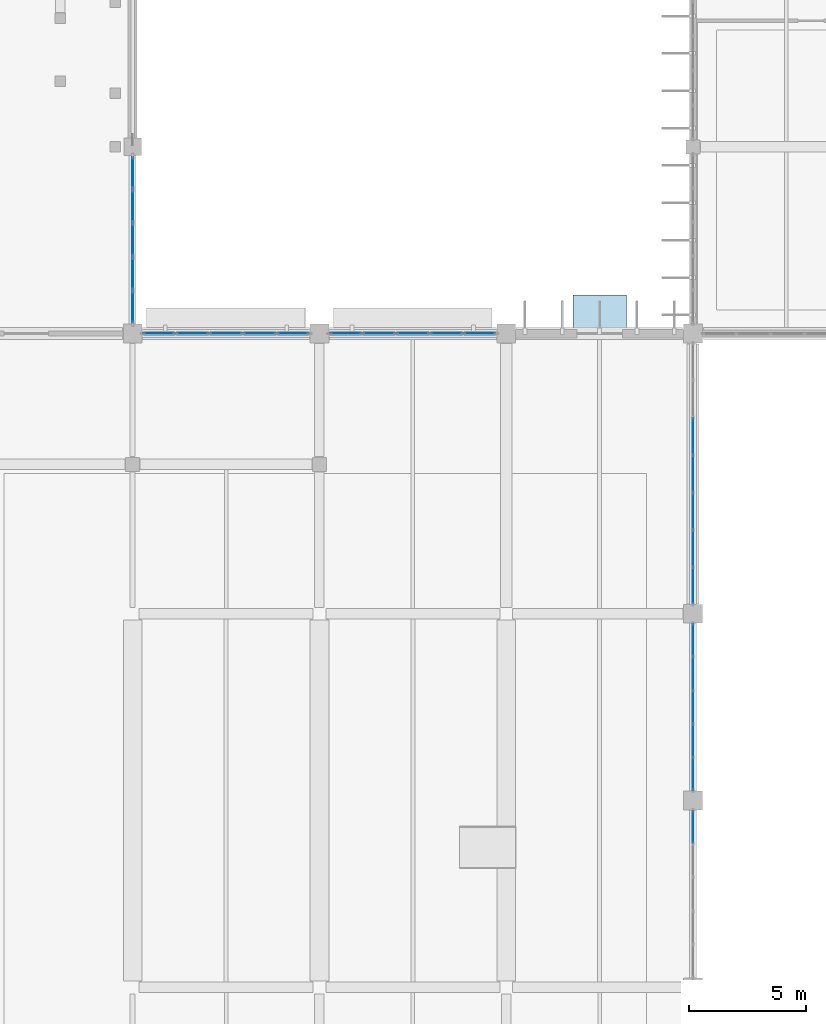
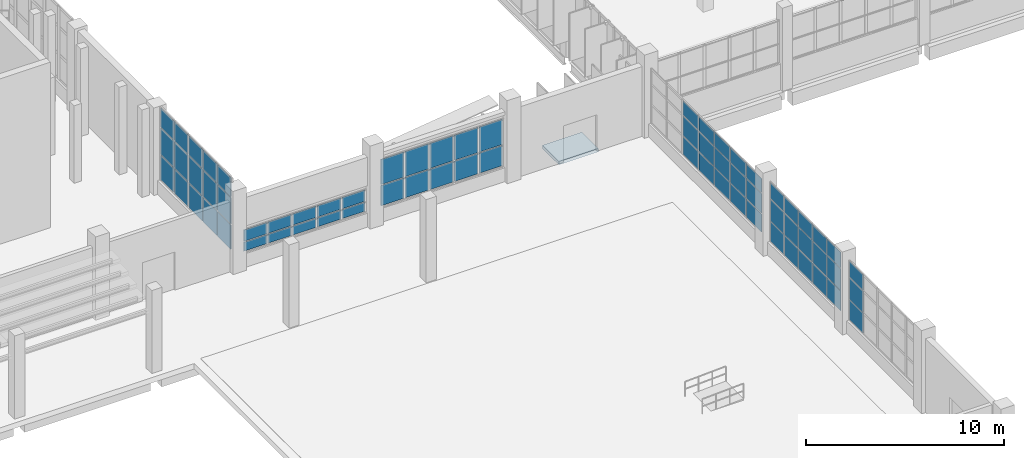
# One storey, part 59 of 103: 68 plates, 1 slab, 6 elements without a shape of their own.
"""IFC4 building model written with IfcOpenShell, lengths in metres."""

from ifc_helpers import new_model, si_unit, direction, frame, origin, origin_2d, place, context, subcontext, project, spatial, polyline, rectangle, outline, extrude, material, layer, layer_set, type_object, element, aggregate, save


model = new_model("IFC4")

# Units and contexts
model_context = context("Model", 3, precision=1e-05, world=origin(), true_north=direction((0.0, 1.0)))
body_context = subcontext(model_context, "Body", "Model", "MODEL_VIEW")
ifc_project = project(units=[si_unit("LENGTHUNIT", "METRE"), si_unit("AREAUNIT", "SQUARE_METRE"), si_unit("VOLUMEUNIT", "CUBIC_METRE"), si_unit("PLANEANGLEUNIT", "RADIAN"), si_unit("MASSUNIT", "GRAM", prefix="KILO")], contexts=[model_context])

# Site, building, storey
site_placement = place(None, origin())
site = spatial("IfcSite", under=ifc_project, at=site_placement, CompositionType="ELEMENT")
building_placement = place(site_placement, origin())
building = spatial("IfcBuilding", under=site, at=building_placement, Name="Drelvana Railside Aquatics Centre", CompositionType="ELEMENT")
storey_placement = place(building_placement, origin())
storey = spatial("IfcBuildingStorey", under=building, at=storey_placement, Name="L00", CompositionType="ELEMENT", Elevation=0.0)

# Curtain wall, plates
ifc_material_1 = material(Name="Bronze-anodised aluminium curtain wall", Category="aluminium")
ifc_layer_1 = layer(ifc_material_1, 0.199951171875, Name="Bronze-anodised aluminium curtain wall")
ifc_layer_set_1 = layer_set([ifc_layer_1], Name="Bronze-anodised aluminium curtain wall")
curtain_wall_type_1 = type_object("IfcCurtainWallType", Name="CW-Z1-SINE", PredefinedType="NOTDEFINED", material=ifc_layer_set_1)
curtain_wall_1_placement = place(storey_placement, origin())
curtain_wall_1 = element("IfcCurtainWall", 1, at=curtain_wall_1_placement, inside=storey, type_object=curtain_wall_type_1, Name="Curtain wall CW-01-020", PredefinedType="NOTDEFINED")
ifc_material_2 = material(Name="Double-glazed low-e solar-control glass", Category="glass")
ifc_layer_2 = layer(ifc_material_2, 0.031982421875, Name="Double-glazed low-e solar-control glass")
ifc_layer_set_2 = layer_set([ifc_layer_2], Name="Double-glazed low-e solar-control glass")
plate_type_1 = type_object("IfcPlateType", Name="CW-Z1-SINE-PAN", PredefinedType="CURTAIN_PANEL", material=ifc_layer_set_2)
plate_1_placement = place(storey_placement, frame((73.134033203125, 84.0, 0.9091796875), z_axis=(0.0, 0.0, 1.0), x_axis=(1.0, 0.0, 0.0)))
plate_1 = element("IfcPlate", 2, at=plate_1_placement, type_object=plate_type_1, Name="CW-01 panel 1.1", PredefinedType="CURTAIN_PANEL", context=body_context, shape_type="SweptSolid", body=[
    extrude(rectangle(XDim=1.33984375, YDim=0.031982421875, at=origin_2d()), origin(), (0.0, 0.0, 1.0), 0.551025390625),
])
plate_2_placement = place(storey_placement, frame((73.134033203125, 84.0, 1.52001953125), z_axis=(0.0, 0.0, 1.0), x_axis=(1.0, 0.0, 0.0)))
plate_2 = element("IfcPlate", 3, at=plate_2_placement, type_object=plate_type_1, Name="CW-01 panel 1.2", PredefinedType="CURTAIN_PANEL", context=body_context, shape_type="SweptSolid", body=[
    extrude(rectangle(XDim=1.33984375, YDim=0.031982421875, at=origin_2d()), origin(), (0.0, 0.0, 1.0), 0.695068359375),
])
plate_3_placement = place(storey_placement, frame((74.5576171875, 84.0, 0.9091796875), z_axis=(0.0, 0.0, 1.0), x_axis=(1.0, 0.0, 0.0)))
plate_3 = element("IfcPlate", 4, at=plate_3_placement, type_object=plate_type_1, Name="CW-01 panel 2.1", PredefinedType="CURTAIN_PANEL", context=body_context, shape_type="SweptSolid", body=[
    extrude(rectangle(XDim=1.37744140625, YDim=0.031982421875, at=origin_2d()), origin(), (0.0, 0.0, 1.0), 0.551025390625),
])
plate_4_placement = place(storey_placement, frame((74.5576171875, 84.0, 1.52001953125), z_axis=(0.0, 0.0, 1.0), x_axis=(1.0, 0.0, 0.0)))
plate_4 = element("IfcPlate", 5, at=plate_4_placement, type_object=plate_type_1, Name="CW-01 panel 2.2", PredefinedType="CURTAIN_PANEL", context=body_context, shape_type="SweptSolid", body=[
    extrude(rectangle(XDim=1.37744140625, YDim=0.031982421875, at=origin_2d()), origin(), (0.0, 0.0, 1.0), 0.695068359375),
])
plate_5_placement = place(storey_placement, frame((76.0, 84.0, 0.9091796875), z_axis=(0.0, 0.0, 1.0), x_axis=(1.0, 0.0, 0.0)))
plate_5 = element("IfcPlate", 6, at=plate_5_placement, type_object=plate_type_1, Name="CW-01 panel 3.1", PredefinedType="CURTAIN_PANEL", context=body_context, shape_type="SweptSolid", body=[
    extrude(rectangle(XDim=1.37744140625, YDim=0.031982421875, at=origin_2d()), origin(), (0.0, 0.0, 1.0), 0.551025390625),
])
plate_6_placement = place(storey_placement, frame((76.0, 84.0, 1.52001953125), z_axis=(0.0, 0.0, 1.0), x_axis=(1.0, 0.0, 0.0)))
plate_6 = element("IfcPlate", 7, at=plate_6_placement, type_object=plate_type_1, Name="CW-01 panel 3.2", PredefinedType="CURTAIN_PANEL", context=body_context, shape_type="SweptSolid", body=[
    extrude(rectangle(XDim=1.37744140625, YDim=0.031982421875, at=origin_2d()), origin(), (0.0, 0.0, 1.0), 0.695068359375),
])
plate_7_placement = place(storey_placement, frame((77.4423828125, 84.0, 0.9091796875), z_axis=(0.0, 0.0, 1.0), x_axis=(1.0, 0.0, 0.0)))
plate_7 = element("IfcPlate", 8, at=plate_7_placement, type_object=plate_type_1, Name="CW-01 panel 4.1", PredefinedType="CURTAIN_PANEL", context=body_context, shape_type="SweptSolid", body=[
    extrude(rectangle(XDim=1.37744140625, YDim=0.031982421875, at=origin_2d()), origin(), (0.0, 0.0, 1.0), 0.551025390625),
])
plate_8_placement = place(storey_placement, frame((77.4423828125, 84.0, 1.52001953125), z_axis=(0.0, 0.0, 1.0), x_axis=(1.0, 0.0, 0.0)))
plate_8 = element("IfcPlate", 9, at=plate_8_placement, type_object=plate_type_1, Name="CW-01 panel 4.2", PredefinedType="CURTAIN_PANEL", context=body_context, shape_type="SweptSolid", body=[
    extrude(rectangle(XDim=1.37744140625, YDim=0.031982421875, at=origin_2d()), origin(), (0.0, 0.0, 1.0), 0.695068359375),
])
plate_9_placement = place(storey_placement, frame((78.865966796875, 84.0, 0.9091796875), z_axis=(0.0, 0.0, 1.0), x_axis=(1.0, 0.0, 0.0)))
plate_9 = element("IfcPlate", 10, at=plate_9_placement, type_object=plate_type_1, Name="CW-01 panel 5.1", PredefinedType="CURTAIN_PANEL", context=body_context, shape_type="SweptSolid", body=[
    extrude(rectangle(XDim=1.33984375, YDim=0.031982421875, at=origin_2d()), origin(), (0.0, 0.0, 1.0), 0.551025390625),
])
plate_10_placement = place(storey_placement, frame((78.865966796875, 84.0, 1.52001953125), z_axis=(0.0, 0.0, 1.0), x_axis=(1.0, 0.0, 0.0)))
plate_10 = element("IfcPlate", 11, at=plate_10_placement, type_object=plate_type_1, Name="CW-01 panel 5.2", PredefinedType="CURTAIN_PANEL", context=body_context, shape_type="SweptSolid", body=[
    extrude(rectangle(XDim=1.33984375, YDim=0.031982421875, at=origin_2d()), origin(), (0.0, 0.0, 1.0), 0.695068359375),
])
aggregate(curtain_wall_1, [plate_1, plate_2, plate_3, plate_4, plate_5, plate_6, plate_7, plate_8, plate_9, plate_10])

curtain_wall_2_placement = place(storey_placement, origin())
curtain_wall_2 = element("IfcCurtainWall", 12, at=curtain_wall_2_placement, inside=storey, type_object=curtain_wall_type_1, Name="Curtain wall CW-01-023", PredefinedType="NOTDEFINED")
plate_11_placement = place(storey_placement, frame((81.134033203125, 84.0, 0.908935546875), z_axis=(0.0, 0.0, 1.0), x_axis=(1.0, 0.0, 0.0)))
plate_11 = element("IfcPlate", 13, at=plate_11_placement, type_object=plate_type_1, Name="CW-01 panel 1.1", PredefinedType="CURTAIN_PANEL", context=body_context, shape_type="SweptSolid", body=[
    extrude(rectangle(XDim=1.33984375, YDim=0.031982421875, at=origin_2d()), origin(), (0.0, 0.0, 1.0), 1.2490234375),
])
plate_12_placement = place(storey_placement, frame((81.134033203125, 84.0, 2.2177734375), z_axis=(0.0, 0.0, 1.0), x_axis=(1.0, 0.0, 0.0)))
plate_12 = element("IfcPlate", 14, at=plate_12_placement, type_object=plate_type_1, Name="CW-01 panel 1.2", PredefinedType="CURTAIN_PANEL", context=body_context, shape_type="SweptSolid", body=[
    extrude(rectangle(XDim=1.33984375, YDim=0.031982421875, at=origin_2d()), origin(), (0.0, 0.0, 1.0), 1.547119140625),
])
plate_13_placement = place(storey_placement, frame((82.5576171875, 84.0, 0.908935546875), z_axis=(0.0, 0.0, 1.0), x_axis=(1.0, 0.0, 0.0)))
plate_13 = element("IfcPlate", 15, at=plate_13_placement, type_object=plate_type_1, Name="CW-01 panel 2.1", PredefinedType="CURTAIN_PANEL", context=body_context, shape_type="SweptSolid", body=[
    extrude(rectangle(XDim=1.37744140625, YDim=0.031982421875, at=origin_2d()), origin(), (0.0, 0.0, 1.0), 1.2490234375),
])
plate_14_placement = place(storey_placement, frame((82.5576171875, 84.0, 2.2177734375), z_axis=(0.0, 0.0, 1.0), x_axis=(1.0, 0.0, 0.0)))
plate_14 = element("IfcPlate", 16, at=plate_14_placement, type_object=plate_type_1, Name="CW-01 panel 2.2", PredefinedType="CURTAIN_PANEL", context=body_context, shape_type="SweptSolid", body=[
    extrude(rectangle(XDim=1.37744140625, YDim=0.031982421875, at=origin_2d()), origin(), (0.0, 0.0, 1.0), 1.547119140625),
])
plate_15_placement = place(storey_placement, frame((84.0, 84.0, 0.908935546875), z_axis=(0.0, 0.0, 1.0), x_axis=(1.0, 0.0, 0.0)))
plate_15 = element("IfcPlate", 17, at=plate_15_placement, type_object=plate_type_1, Name="CW-01 panel 3.1", PredefinedType="CURTAIN_PANEL", context=body_context, shape_type="SweptSolid", body=[
    extrude(rectangle(XDim=1.37744140625, YDim=0.031982421875, at=origin_2d()), origin(), (0.0, 0.0, 1.0), 1.2490234375),
])
plate_16_placement = place(storey_placement, frame((84.0, 84.0, 2.2177734375), z_axis=(0.0, 0.0, 1.0), x_axis=(1.0, 0.0, 0.0)))
plate_16 = element("IfcPlate", 18, at=plate_16_placement, type_object=plate_type_1, Name="CW-01 panel 3.2", PredefinedType="CURTAIN_PANEL", context=body_context, shape_type="SweptSolid", body=[
    extrude(rectangle(XDim=1.37744140625, YDim=0.031982421875, at=origin_2d()), origin(), (0.0, 0.0, 1.0), 1.547119140625),
])
plate_17_placement = place(storey_placement, frame((85.4423828125, 84.0, 0.908935546875), z_axis=(0.0, 0.0, 1.0), x_axis=(1.0, 0.0, 0.0)))
plate_17 = element("IfcPlate", 19, at=plate_17_placement, type_object=plate_type_1, Name="CW-01 panel 4.1", PredefinedType="CURTAIN_PANEL", context=body_context, shape_type="SweptSolid", body=[
    extrude(rectangle(XDim=1.37744140625, YDim=0.031982421875, at=origin_2d()), origin(), (0.0, 0.0, 1.0), 1.2490234375),
])
plate_18_placement = place(storey_placement, frame((85.4423828125, 84.0, 2.2177734375), z_axis=(0.0, 0.0, 1.0), x_axis=(1.0, 0.0, 0.0)))
plate_18 = element("IfcPlate", 20, at=plate_18_placement, type_object=plate_type_1, Name="CW-01 panel 4.2", PredefinedType="CURTAIN_PANEL", context=body_context, shape_type="SweptSolid", body=[
    extrude(rectangle(XDim=1.37744140625, YDim=0.031982421875, at=origin_2d()), origin(), (0.0, 0.0, 1.0), 1.547119140625),
])
plate_19_placement = place(storey_placement, frame((86.865966796875, 84.0, 0.908935546875), z_axis=(0.0, 0.0, 1.0), x_axis=(1.0, 0.0, 0.0)))
plate_19 = element("IfcPlate", 21, at=plate_19_placement, type_object=plate_type_1, Name="CW-01 panel 5.1", PredefinedType="CURTAIN_PANEL", context=body_context, shape_type="SweptSolid", body=[
    extrude(rectangle(XDim=1.33984375, YDim=0.031982421875, at=origin_2d()), origin(), (0.0, 0.0, 1.0), 1.2490234375),
])
plate_20_placement = place(storey_placement, frame((86.865966796875, 84.0, 2.2177734375), z_axis=(0.0, 0.0, 1.0), x_axis=(1.0, 0.0, 0.0)))
plate_20 = element("IfcPlate", 22, at=plate_20_placement, type_object=plate_type_1, Name="CW-01 panel 5.2", PredefinedType="CURTAIN_PANEL", context=body_context, shape_type="SweptSolid", body=[
    extrude(rectangle(XDim=1.33984375, YDim=0.031982421875, at=origin_2d()), origin(), (0.0, 0.0, 1.0), 1.547119140625),
])
aggregate(curtain_wall_2, [plate_11, plate_12, plate_13, plate_14, plate_15, plate_16, plate_17, plate_18, plate_19, plate_20])

ifc_layer_3 = layer(ifc_material_1, 0.1650390625, Name="Bronze-anodised aluminium curtain wall")
ifc_layer_set_3 = layer_set([ifc_layer_3], Name="Bronze-anodised aluminium curtain wall")
curtain_wall_type_2 = type_object("IfcCurtainWallType", Name="CW-Z5-COURT", PredefinedType="NOTDEFINED", material=ifc_layer_set_3)
curtain_wall_3_placement = place(storey_placement, origin())
curtain_wall_3 = element("IfcCurtainWall", 23, at=curtain_wall_3_placement, inside=storey, type_object=curtain_wall_type_2, Name="Curtain wall CW-05-070", PredefinedType="NOTDEFINED")
ifc_layer_4 = layer(ifc_material_2, 0.02587890625, Name="Double-glazed low-e solar-control glass")
ifc_layer_set_4 = layer_set([ifc_layer_4], Name="Double-glazed low-e solar-control glass")
plate_type_2 = type_object("IfcPlateType", Name="CW-Z5-COURT-PAN", PredefinedType="CURTAIN_PANEL", material=ifc_layer_set_4)
plate_21_placement = place(storey_placement, frame((96.0, 62.869873046875, 0.84912109375), z_axis=(0.0, 0.0, 1.0), x_axis=(0.0, 1.0, 0.0)))
plate_21 = element("IfcPlate", 24, at=plate_21_placement, type_object=plate_type_2, Name="CW-05 panel 5.1", PredefinedType="CURTAIN_PANEL", context=body_context, shape_type="SweptSolid", body=[
    extrude(rectangle(XDim=1.3623046875, YDim=0.02587890625, at=origin_2d()), origin(), (0.0, 0.0, 1.0), 1.217041015625),
])
plate_22_placement = place(storey_placement, frame((96.0, 62.869873046875, 2.1162109375), z_axis=(0.0, 0.0, 1.0), x_axis=(0.0, 1.0, 0.0)))
plate_22 = element("IfcPlate", 25, at=plate_22_placement, type_object=plate_type_2, Name="CW-05 panel 5.2", PredefinedType="CURTAIN_PANEL", context=body_context, shape_type="SweptSolid", body=[
    extrude(rectangle(XDim=1.3623046875, YDim=0.02587890625, at=origin_2d()), origin(), (0.0, 0.0, 1.0), 1.321044921875),
])
plate_23_placement = place(storey_placement, frame((96.0, 62.869873046875, 3.487060546875), z_axis=(0.0, 0.0, 1.0), x_axis=(0.0, 1.0, 0.0)))
plate_23 = element("IfcPlate", 26, at=plate_23_placement, type_object=plate_type_2, Name="CW-05 panel 5.3", PredefinedType="CURTAIN_PANEL", context=body_context, shape_type="SweptSolid", body=[
    extrude(rectangle(XDim=1.3623046875, YDim=0.02587890625, at=origin_2d()), origin(), (0.0, 0.0, 1.0), 0.9580078125),
])
aggregate(curtain_wall_3, [plate_21, plate_22, plate_23])

curtain_wall_4_placement = place(storey_placement, origin())
curtain_wall_4 = element("IfcCurtainWall", 27, at=curtain_wall_4_placement, inside=storey, type_object=curtain_wall_type_2, Name="Curtain wall CW-05-074", PredefinedType="NOTDEFINED")
plate_24_placement = place(storey_placement, frame((96.0, 65.130126953125, 0.84912109375), z_axis=(0.0, 0.0, 1.0), x_axis=(0.0, 1.0, 0.0)))
plate_24 = element("IfcPlate", 28, at=plate_24_placement, type_object=plate_type_2, Name="CW-05 panel 1.1", PredefinedType="CURTAIN_PANEL", context=body_context, shape_type="SweptSolid", body=[
    extrude(rectangle(XDim=1.3623046875, YDim=0.02587890625, at=origin_2d()), origin(), (0.0, 0.0, 1.0), 1.217041015625),
])
plate_25_placement = place(storey_placement, frame((96.0, 65.130126953125, 2.1162109375), z_axis=(0.0, 0.0, 1.0), x_axis=(0.0, 1.0, 0.0)))
plate_25 = element("IfcPlate", 29, at=plate_25_placement, type_object=plate_type_2, Name="CW-05 panel 1.2", PredefinedType="CURTAIN_PANEL", context=body_context, shape_type="SweptSolid", body=[
    extrude(rectangle(XDim=1.3623046875, YDim=0.02587890625, at=origin_2d()), origin(), (0.0, 0.0, 1.0), 1.321044921875),
])
plate_26_placement = place(storey_placement, frame((96.0, 65.130126953125, 3.487060546875), z_axis=(0.0, 0.0, 1.0), x_axis=(0.0, 1.0, 0.0)))
plate_26 = element("IfcPlate", 30, at=plate_26_placement, type_object=plate_type_2, Name="CW-05 panel 1.3", PredefinedType="CURTAIN_PANEL", context=body_context, shape_type="SweptSolid", body=[
    extrude(rectangle(XDim=1.3623046875, YDim=0.02587890625, at=origin_2d()), origin(), (0.0, 0.0, 1.0), 0.9580078125),
])
plate_27_placement = place(storey_placement, frame((96.0, 66.5576171875, 0.84912109375), z_axis=(0.0, 0.0, 1.0), x_axis=(0.0, 1.0, 0.0)))
plate_27 = element("IfcPlate", 31, at=plate_27_placement, type_object=plate_type_2, Name="CW-05 panel 2.1", PredefinedType="CURTAIN_PANEL", context=body_context, shape_type="SweptSolid", body=[
    extrude(rectangle(XDim=1.392333984375, YDim=0.02587890625, at=origin_2d()), origin(), (0.0, 0.0, 1.0), 1.217041015625),
])
plate_28_placement = place(storey_placement, frame((96.0, 66.5576171875, 2.1162109375), z_axis=(0.0, 0.0, 1.0), x_axis=(0.0, 1.0, 0.0)))
plate_28 = element("IfcPlate", 32, at=plate_28_placement, type_object=plate_type_2, Name="CW-05 panel 2.2", PredefinedType="CURTAIN_PANEL", context=body_context, shape_type="SweptSolid", body=[
    extrude(rectangle(XDim=1.392333984375, YDim=0.02587890625, at=origin_2d()), origin(), (0.0, 0.0, 1.0), 1.321044921875),
])
plate_29_placement = place(storey_placement, frame((96.0, 66.5576171875, 3.487060546875), z_axis=(0.0, 0.0, 1.0), x_axis=(0.0, 1.0, 0.0)))
plate_29 = element("IfcPlate", 33, at=plate_29_placement, type_object=plate_type_2, Name="CW-05 panel 2.3", PredefinedType="CURTAIN_PANEL", context=body_context, shape_type="SweptSolid", body=[
    extrude(rectangle(XDim=1.392333984375, YDim=0.02587890625, at=origin_2d()), origin(), (0.0, 0.0, 1.0), 0.9580078125),
])
plate_30_placement = place(storey_placement, frame((96.0, 68.0, 0.84912109375), z_axis=(0.0, 0.0, 1.0), x_axis=(0.0, 1.0, 0.0)))
plate_30 = element("IfcPlate", 34, at=plate_30_placement, type_object=plate_type_2, Name="CW-05 panel 3.1", PredefinedType="CURTAIN_PANEL", context=body_context, shape_type="SweptSolid", body=[
    extrude(rectangle(XDim=1.392333984375, YDim=0.02587890625, at=origin_2d()), origin(), (0.0, 0.0, 1.0), 1.217041015625),
])
plate_31_placement = place(storey_placement, frame((96.0, 68.0, 2.1162109375), z_axis=(0.0, 0.0, 1.0), x_axis=(0.0, 1.0, 0.0)))
plate_31 = element("IfcPlate", 35, at=plate_31_placement, type_object=plate_type_2, Name="CW-05 panel 3.2", PredefinedType="CURTAIN_PANEL", context=body_context, shape_type="SweptSolid", body=[
    extrude(rectangle(XDim=1.392333984375, YDim=0.02587890625, at=origin_2d()), origin(), (0.0, 0.0, 1.0), 1.321044921875),
])
plate_32_placement = place(storey_placement, frame((96.0, 68.0, 3.487060546875), z_axis=(0.0, 0.0, 1.0), x_axis=(0.0, 1.0, 0.0)))
plate_32 = element("IfcPlate", 36, at=plate_32_placement, type_object=plate_type_2, Name="CW-05 panel 3.3", PredefinedType="CURTAIN_PANEL", context=body_context, shape_type="SweptSolid", body=[
    extrude(rectangle(XDim=1.392333984375, YDim=0.02587890625, at=origin_2d()), origin(), (0.0, 0.0, 1.0), 0.9580078125),
])
plate_33_placement = place(storey_placement, frame((96.0, 69.4423828125, 0.84912109375), z_axis=(0.0, 0.0, 1.0), x_axis=(0.0, 1.0, 0.0)))
plate_33 = element("IfcPlate", 37, at=plate_33_placement, type_object=plate_type_2, Name="CW-05 panel 4.1", PredefinedType="CURTAIN_PANEL", context=body_context, shape_type="SweptSolid", body=[
    extrude(rectangle(XDim=1.392333984375, YDim=0.02587890625, at=origin_2d()), origin(), (0.0, 0.0, 1.0), 1.217041015625),
])
plate_34_placement = place(storey_placement, frame((96.0, 69.4423828125, 2.1162109375), z_axis=(0.0, 0.0, 1.0), x_axis=(0.0, 1.0, 0.0)))
plate_34 = element("IfcPlate", 38, at=plate_34_placement, type_object=plate_type_2, Name="CW-05 panel 4.2", PredefinedType="CURTAIN_PANEL", context=body_context, shape_type="SweptSolid", body=[
    extrude(rectangle(XDim=1.392333984375, YDim=0.02587890625, at=origin_2d()), origin(), (0.0, 0.0, 1.0), 1.321044921875),
])
plate_35_placement = place(storey_placement, frame((96.0, 69.4423828125, 3.487060546875), z_axis=(0.0, 0.0, 1.0), x_axis=(0.0, 1.0, 0.0)))
plate_35 = element("IfcPlate", 39, at=plate_35_placement, type_object=plate_type_2, Name="CW-05 panel 4.3", PredefinedType="CURTAIN_PANEL", context=body_context, shape_type="SweptSolid", body=[
    extrude(rectangle(XDim=1.392333984375, YDim=0.02587890625, at=origin_2d()), origin(), (0.0, 0.0, 1.0), 0.9580078125),
])
plate_36_placement = place(storey_placement, frame((96.0, 70.869873046875, 0.84912109375), z_axis=(0.0, 0.0, 1.0), x_axis=(0.0, 1.0, 0.0)))
plate_36 = element("IfcPlate", 40, at=plate_36_placement, type_object=plate_type_2, Name="CW-05 panel 5.1", PredefinedType="CURTAIN_PANEL", context=body_context, shape_type="SweptSolid", body=[
    extrude(rectangle(XDim=1.3623046875, YDim=0.02587890625, at=origin_2d()), origin(), (0.0, 0.0, 1.0), 1.217041015625),
])
plate_37_placement = place(storey_placement, frame((96.0, 70.869873046875, 2.1162109375), z_axis=(0.0, 0.0, 1.0), x_axis=(0.0, 1.0, 0.0)))
plate_37 = element("IfcPlate", 41, at=plate_37_placement, type_object=plate_type_2, Name="CW-05 panel 5.2", PredefinedType="CURTAIN_PANEL", context=body_context, shape_type="SweptSolid", body=[
    extrude(rectangle(XDim=1.3623046875, YDim=0.02587890625, at=origin_2d()), origin(), (0.0, 0.0, 1.0), 1.321044921875),
])
plate_38_placement = place(storey_placement, frame((96.0, 70.869873046875, 3.487060546875), z_axis=(0.0, 0.0, 1.0), x_axis=(0.0, 1.0, 0.0)))
plate_38 = element("IfcPlate", 42, at=plate_38_placement, type_object=plate_type_2, Name="CW-05 panel 5.3", PredefinedType="CURTAIN_PANEL", context=body_context, shape_type="SweptSolid", body=[
    extrude(rectangle(XDim=1.3623046875, YDim=0.02587890625, at=origin_2d()), origin(), (0.0, 0.0, 1.0), 0.9580078125),
])
aggregate(curtain_wall_4, [plate_24, plate_25, plate_26, plate_27, plate_28, plate_29, plate_30, plate_31, plate_32, plate_33, plate_34, plate_35, plate_36, plate_37, plate_38])

curtain_wall_5_placement = place(storey_placement, origin())
curtain_wall_5 = element("IfcCurtainWall", 43, at=curtain_wall_5_placement, inside=storey, type_object=curtain_wall_type_2, Name="Curtain wall CW-05-078", PredefinedType="NOTDEFINED")
plate_39_placement = place(storey_placement, frame((96.0, 73.2099609375, 0.84912109375), z_axis=(0.0, 0.0, 1.0), x_axis=(0.0, 1.0, 0.0)))
plate_39 = element("IfcPlate", 44, at=plate_39_placement, type_object=plate_type_2, Name="CW-05 panel 1.1", PredefinedType="CURTAIN_PANEL", context=body_context, shape_type="SweptSolid", body=[
    extrude(rectangle(XDim=1.521728515625, YDim=0.02587890625, at=origin_2d()), origin(), (0.0, 0.0, 1.0), 1.114013671875),
])
plate_40_placement = place(storey_placement, frame((96.0, 73.2099609375, 2.012939453125), z_axis=(0.0, 0.0, 1.0), x_axis=(0.0, 1.0, 0.0)))
plate_40 = element("IfcPlate", 45, at=plate_40_placement, type_object=plate_type_2, Name="CW-05 panel 1.2", PredefinedType="CURTAIN_PANEL", context=body_context, shape_type="SweptSolid", body=[
    extrude(rectangle(XDim=1.521728515625, YDim=0.02587890625, at=origin_2d()), origin(), (0.0, 0.0, 1.0), 1.2119140625),
])
plate_41_placement = place(storey_placement, frame((96.0, 73.2099609375, 3.27490234375), z_axis=(0.0, 0.0, 1.0), x_axis=(0.0, 1.0, 0.0)))
plate_41 = element("IfcPlate", 46, at=plate_41_placement, type_object=plate_type_2, Name="CW-05 panel 1.3", PredefinedType="CURTAIN_PANEL", context=body_context, shape_type="SweptSolid", body=[
    extrude(rectangle(XDim=1.521728515625, YDim=0.02587890625, at=origin_2d()), origin(), (0.0, 0.0, 1.0), 0.875),
])
plate_42_placement = place(storey_placement, frame((96.0, 74.796630859375, 0.84912109375), z_axis=(0.0, 0.0, 1.0), x_axis=(0.0, 1.0, 0.0)))
plate_42 = element("IfcPlate", 47, at=plate_42_placement, type_object=plate_type_2, Name="CW-05 panel 2.1", PredefinedType="CURTAIN_PANEL", context=body_context, shape_type="SweptSolid", body=[
    extrude(rectangle(XDim=1.5517578125, YDim=0.02587890625, at=origin_2d()), origin(), (0.0, 0.0, 1.0), 1.114013671875),
])
plate_43_placement = place(storey_placement, frame((96.0, 74.796630859375, 2.012939453125), z_axis=(0.0, 0.0, 1.0), x_axis=(0.0, 1.0, 0.0)))
plate_43 = element("IfcPlate", 48, at=plate_43_placement, type_object=plate_type_2, Name="CW-05 panel 2.2", PredefinedType="CURTAIN_PANEL", context=body_context, shape_type="SweptSolid", body=[
    extrude(rectangle(XDim=1.5517578125, YDim=0.02587890625, at=origin_2d()), origin(), (0.0, 0.0, 1.0), 1.2119140625),
])
plate_44_placement = place(storey_placement, frame((96.0, 74.796630859375, 3.27490234375), z_axis=(0.0, 0.0, 1.0), x_axis=(0.0, 1.0, 0.0)))
plate_44 = element("IfcPlate", 49, at=plate_44_placement, type_object=plate_type_2, Name="CW-05 panel 2.3", PredefinedType="CURTAIN_PANEL", context=body_context, shape_type="SweptSolid", body=[
    extrude(rectangle(XDim=1.5517578125, YDim=0.02587890625, at=origin_2d()), origin(), (0.0, 0.0, 1.0), 0.875),
])
plate_45_placement = place(storey_placement, frame((96.0, 76.398193359375, 0.84912109375), z_axis=(0.0, 0.0, 1.0), x_axis=(0.0, 1.0, 0.0)))
plate_45 = element("IfcPlate", 50, at=plate_45_placement, type_object=plate_type_2, Name="CW-05 panel 3.1", PredefinedType="CURTAIN_PANEL", context=body_context, shape_type="SweptSolid", body=[
    extrude(rectangle(XDim=1.5517578125, YDim=0.02587890625, at=origin_2d()), origin(), (0.0, 0.0, 1.0), 1.114013671875),
])
plate_46_placement = place(storey_placement, frame((96.0, 76.398193359375, 2.012939453125), z_axis=(0.0, 0.0, 1.0), x_axis=(0.0, 1.0, 0.0)))
plate_46 = element("IfcPlate", 51, at=plate_46_placement, type_object=plate_type_2, Name="CW-05 panel 3.2", PredefinedType="CURTAIN_PANEL", context=body_context, shape_type="SweptSolid", body=[
    extrude(rectangle(XDim=1.5517578125, YDim=0.02587890625, at=origin_2d()), origin(), (0.0, 0.0, 1.0), 1.2119140625),
])
plate_47_placement = place(storey_placement, frame((96.0, 76.398193359375, 3.27490234375), z_axis=(0.0, 0.0, 1.0), x_axis=(0.0, 1.0, 0.0)))
plate_47 = element("IfcPlate", 52, at=plate_47_placement, type_object=plate_type_2, Name="CW-05 panel 3.3", PredefinedType="CURTAIN_PANEL", context=body_context, shape_type="SweptSolid", body=[
    extrude(rectangle(XDim=1.5517578125, YDim=0.02587890625, at=origin_2d()), origin(), (0.0, 0.0, 1.0), 0.875),
])
plate_48_placement = place(storey_placement, frame((96.0, 78.0, 0.84912109375), z_axis=(0.0, 0.0, 1.0), x_axis=(0.0, 1.0, 0.0)))
plate_48 = element("IfcPlate", 53, at=plate_48_placement, type_object=plate_type_2, Name="CW-05 panel 4.1", PredefinedType="CURTAIN_PANEL", context=body_context, shape_type="SweptSolid", body=[
    extrude(rectangle(XDim=1.5517578125, YDim=0.02587890625, at=origin_2d()), origin(), (0.0, 0.0, 1.0), 1.114013671875),
])
plate_49_placement = place(storey_placement, frame((96.0, 78.0, 2.012939453125), z_axis=(0.0, 0.0, 1.0), x_axis=(0.0, 1.0, 0.0)))
plate_49 = element("IfcPlate", 54, at=plate_49_placement, type_object=plate_type_2, Name="CW-05 panel 4.2", PredefinedType="CURTAIN_PANEL", context=body_context, shape_type="SweptSolid", body=[
    extrude(rectangle(XDim=1.5517578125, YDim=0.02587890625, at=origin_2d()), origin(), (0.0, 0.0, 1.0), 1.2119140625),
])
plate_50_placement = place(storey_placement, frame((96.0, 78.0, 3.27490234375), z_axis=(0.0, 0.0, 1.0), x_axis=(0.0, 1.0, 0.0)))
plate_50 = element("IfcPlate", 55, at=plate_50_placement, type_object=plate_type_2, Name="CW-05 panel 4.3", PredefinedType="CURTAIN_PANEL", context=body_context, shape_type="SweptSolid", body=[
    extrude(rectangle(XDim=1.5517578125, YDim=0.02587890625, at=origin_2d()), origin(), (0.0, 0.0, 1.0), 0.875),
])
plate_51_placement = place(storey_placement, frame((96.0, 79.601806640625, 0.84912109375), z_axis=(0.0, 0.0, 1.0), x_axis=(0.0, 1.0, 0.0)))
plate_51 = element("IfcPlate", 56, at=plate_51_placement, type_object=plate_type_2, Name="CW-05 panel 5.1", PredefinedType="CURTAIN_PANEL", context=body_context, shape_type="SweptSolid", body=[
    extrude(rectangle(XDim=1.5517578125, YDim=0.02587890625, at=origin_2d()), origin(), (0.0, 0.0, 1.0), 1.114013671875),
])
plate_52_placement = place(storey_placement, frame((96.0, 79.601806640625, 2.012939453125), z_axis=(0.0, 0.0, 1.0), x_axis=(0.0, 1.0, 0.0)))
plate_52 = element("IfcPlate", 57, at=plate_52_placement, type_object=plate_type_2, Name="CW-05 panel 5.2", PredefinedType="CURTAIN_PANEL", context=body_context, shape_type="SweptSolid", body=[
    extrude(rectangle(XDim=1.5517578125, YDim=0.02587890625, at=origin_2d()), origin(), (0.0, 0.0, 1.0), 1.2119140625),
])
plate_53_placement = place(storey_placement, frame((96.0, 79.601806640625, 3.27490234375), z_axis=(0.0, 0.0, 1.0), x_axis=(0.0, 1.0, 0.0)))
plate_53 = element("IfcPlate", 58, at=plate_53_placement, type_object=plate_type_2, Name="CW-05 panel 5.3", PredefinedType="CURTAIN_PANEL", context=body_context, shape_type="SweptSolid", body=[
    extrude(rectangle(XDim=1.5517578125, YDim=0.02587890625, at=origin_2d()), origin(), (0.0, 0.0, 1.0), 0.875),
])
aggregate(curtain_wall_5, [plate_39, plate_40, plate_41, plate_42, plate_43, plate_44, plate_45, plate_46, plate_47, plate_48, plate_49, plate_50, plate_51, plate_52, plate_53])

ifc_layer_5 = layer(ifc_material_1, 0.2099609375, Name="Bronze-anodised aluminium curtain wall")
ifc_layer_set_5 = layer_set([ifc_layer_5], Name="Bronze-anodised aluminium curtain wall")
curtain_wall_type_3 = type_object("IfcCurtainWallType", Name="CW-Z7-DIVE", PredefinedType="NOTDEFINED", material=ifc_layer_set_5)
curtain_wall_6_placement = place(storey_placement, origin())
curtain_wall_6 = element("IfcCurtainWall", 59, at=curtain_wall_6_placement, inside=storey, type_object=curtain_wall_type_3, Name="Curtain wall CW-07-090", PredefinedType="NOTDEFINED")
ifc_layer_6 = layer(ifc_material_2, 0.033935546875, Name="Double-glazed low-e solar-control glass")
ifc_layer_set_6 = layer_set([ifc_layer_6], Name="Double-glazed low-e solar-control glass")
plate_type_3 = type_object("IfcPlateType", Name="CW-Z7-DIVE-PAN", PredefinedType="CURTAIN_PANEL", material=ifc_layer_set_6)
plate_54_placement = place(storey_placement, frame((72.0, 85.1376953125, 0.908935546875), z_axis=(0.0, 0.0, 1.0), x_axis=(0.0, 1.0, 0.0)))
plate_54 = element("IfcPlate", 60, at=plate_54_placement, type_object=plate_type_3, Name="CW-07 panel 1.1", PredefinedType="CURTAIN_PANEL", context=body_context, shape_type="SweptSolid", body=[
    extrude(rectangle(XDim=1.33740234375, YDim=0.033935546875, at=origin_2d()), origin(), (0.0, 0.0, 1.0), 1.49609375),
])
plate_55_placement = place(storey_placement, frame((72.0, 85.1376953125, 2.46484375), z_axis=(0.0, 0.0, 1.0), x_axis=(0.0, 1.0, 0.0)))
plate_55 = element("IfcPlate", 61, at=plate_55_placement, type_object=plate_type_3, Name="CW-07 panel 1.2", PredefinedType="CURTAIN_PANEL", context=body_context, shape_type="SweptSolid", body=[
    extrude(rectangle(XDim=1.33740234375, YDim=0.033935546875, at=origin_2d()), origin(), (0.0, 0.0, 1.0), 1.6220703125),
])
plate_56_placement = place(storey_placement, frame((72.0, 85.1376953125, 4.14697265625), z_axis=(0.0, 0.0, 1.0), x_axis=(0.0, 1.0, 0.0)))
plate_56 = element("IfcPlate", 62, at=plate_56_placement, type_object=plate_type_3, Name="CW-07 panel 1.3", PredefinedType="CURTAIN_PANEL", context=body_context, shape_type="SweptSolid", body=[
    extrude(rectangle(XDim=1.33740234375, YDim=0.033935546875, at=origin_2d()), origin(), (0.0, 0.0, 1.0), 1.177978515625),
])
plate_57_placement = place(storey_placement, frame((72.0, 86.565185546875, 0.908935546875), z_axis=(0.0, 0.0, 1.0), x_axis=(0.0, 1.0, 0.0)))
plate_57 = element("IfcPlate", 63, at=plate_57_placement, type_object=plate_type_3, Name="CW-07 panel 2.1", PredefinedType="CURTAIN_PANEL", context=body_context, shape_type="SweptSolid", body=[
    extrude(rectangle(XDim=1.37744140625, YDim=0.033935546875, at=origin_2d()), origin(), (0.0, 0.0, 1.0), 1.49609375),
])
plate_58_placement = place(storey_placement, frame((72.0, 86.565185546875, 2.46484375), z_axis=(0.0, 0.0, 1.0), x_axis=(0.0, 1.0, 0.0)))
plate_58 = element("IfcPlate", 64, at=plate_58_placement, type_object=plate_type_3, Name="CW-07 panel 2.2", PredefinedType="CURTAIN_PANEL", context=body_context, shape_type="SweptSolid", body=[
    extrude(rectangle(XDim=1.37744140625, YDim=0.033935546875, at=origin_2d()), origin(), (0.0, 0.0, 1.0), 1.6220703125),
])
plate_59_placement = place(storey_placement, frame((72.0, 86.565185546875, 4.14697265625), z_axis=(0.0, 0.0, 1.0), x_axis=(0.0, 1.0, 0.0)))
plate_59 = element("IfcPlate", 65, at=plate_59_placement, type_object=plate_type_3, Name="CW-07 panel 2.3", PredefinedType="CURTAIN_PANEL", context=body_context, shape_type="SweptSolid", body=[
    extrude(rectangle(XDim=1.37744140625, YDim=0.033935546875, at=origin_2d()), origin(), (0.0, 0.0, 1.0), 1.177978515625),
])
plate_60_placement = place(storey_placement, frame((72.0, 88.012451171875, 0.908935546875), z_axis=(0.0, 0.0, 1.0), x_axis=(0.0, 1.0, 0.0)))
plate_60 = element("IfcPlate", 66, at=plate_60_placement, type_object=plate_type_3, Name="CW-07 panel 3.1", PredefinedType="CURTAIN_PANEL", context=body_context, shape_type="SweptSolid", body=[
    extrude(rectangle(XDim=1.37744140625, YDim=0.033935546875, at=origin_2d()), origin(), (0.0, 0.0, 1.0), 1.49609375),
])
plate_61_placement = place(storey_placement, frame((72.0, 88.012451171875, 2.46484375), z_axis=(0.0, 0.0, 1.0), x_axis=(0.0, 1.0, 0.0)))
plate_61 = element("IfcPlate", 67, at=plate_61_placement, type_object=plate_type_3, Name="CW-07 panel 3.2", PredefinedType="CURTAIN_PANEL", context=body_context, shape_type="SweptSolid", body=[
    extrude(rectangle(XDim=1.37744140625, YDim=0.033935546875, at=origin_2d()), origin(), (0.0, 0.0, 1.0), 1.6220703125),
])
plate_62_placement = place(storey_placement, frame((72.0, 88.012451171875, 4.14697265625), z_axis=(0.0, 0.0, 1.0), x_axis=(0.0, 1.0, 0.0)))
plate_62 = element("IfcPlate", 68, at=plate_62_placement, type_object=plate_type_3, Name="CW-07 panel 3.3", PredefinedType="CURTAIN_PANEL", context=body_context, shape_type="SweptSolid", body=[
    extrude(rectangle(XDim=1.37744140625, YDim=0.033935546875, at=origin_2d()), origin(), (0.0, 0.0, 1.0), 1.177978515625),
])
plate_63_placement = place(storey_placement, frame((72.0, 89.4599609375, 0.908935546875), z_axis=(0.0, 0.0, 1.0), x_axis=(0.0, 1.0, 0.0)))
plate_63 = element("IfcPlate", 69, at=plate_63_placement, type_object=plate_type_3, Name="CW-07 panel 4.1", PredefinedType="CURTAIN_PANEL", context=body_context, shape_type="SweptSolid", body=[
    extrude(rectangle(XDim=1.37744140625, YDim=0.033935546875, at=origin_2d()), origin(), (0.0, 0.0, 1.0), 1.49609375),
])
plate_64_placement = place(storey_placement, frame((72.0, 89.4599609375, 2.46484375), z_axis=(0.0, 0.0, 1.0), x_axis=(0.0, 1.0, 0.0)))
plate_64 = element("IfcPlate", 70, at=plate_64_placement, type_object=plate_type_3, Name="CW-07 panel 4.2", PredefinedType="CURTAIN_PANEL", context=body_context, shape_type="SweptSolid", body=[
    extrude(rectangle(XDim=1.37744140625, YDim=0.033935546875, at=origin_2d()), origin(), (0.0, 0.0, 1.0), 1.6220703125),
])
plate_65_placement = place(storey_placement, frame((72.0, 89.4599609375, 4.14697265625), z_axis=(0.0, 0.0, 1.0), x_axis=(0.0, 1.0, 0.0)))
plate_65 = element("IfcPlate", 71, at=plate_65_placement, type_object=plate_type_3, Name="CW-07 panel 4.3", PredefinedType="CURTAIN_PANEL", context=body_context, shape_type="SweptSolid", body=[
    extrude(rectangle(XDim=1.37744140625, YDim=0.033935546875, at=origin_2d()), origin(), (0.0, 0.0, 1.0), 1.177978515625),
])
plate_66_placement = place(storey_placement, frame((72.0, 90.88720703125, 0.908935546875), z_axis=(0.0, 0.0, 1.0), x_axis=(0.0, 1.0, 0.0)))
plate_66 = element("IfcPlate", 72, at=plate_66_placement, type_object=plate_type_3, Name="CW-07 panel 5.1", PredefinedType="CURTAIN_PANEL", context=body_context, shape_type="SweptSolid", body=[
    extrude(rectangle(XDim=1.33740234375, YDim=0.033935546875, at=origin_2d()), origin(), (0.0, 0.0, 1.0), 1.49609375),
])
plate_67_placement = place(storey_placement, frame((72.0, 90.88720703125, 2.46484375), z_axis=(0.0, 0.0, 1.0), x_axis=(0.0, 1.0, 0.0)))
plate_67 = element("IfcPlate", 73, at=plate_67_placement, type_object=plate_type_3, Name="CW-07 panel 5.2", PredefinedType="CURTAIN_PANEL", context=body_context, shape_type="SweptSolid", body=[
    extrude(rectangle(XDim=1.33740234375, YDim=0.033935546875, at=origin_2d()), origin(), (0.0, 0.0, 1.0), 1.6220703125),
])
plate_68_placement = place(storey_placement, frame((72.0, 90.88720703125, 4.14697265625), z_axis=(0.0, 0.0, 1.0), x_axis=(0.0, 1.0, 0.0)))
plate_68 = element("IfcPlate", 74, at=plate_68_placement, type_object=plate_type_3, Name="CW-07 panel 5.3", PredefinedType="CURTAIN_PANEL", context=body_context, shape_type="SweptSolid", body=[
    extrude(rectangle(XDim=1.33740234375, YDim=0.033935546875, at=origin_2d()), origin(), (0.0, 0.0, 1.0), 1.177978515625),
])
aggregate(curtain_wall_6, [plate_54, plate_55, plate_56, plate_57, plate_58, plate_59, plate_60, plate_61, plate_62, plate_63, plate_64, plate_65, plate_66, plate_67, plate_68])

# Slab
ifc_material_3 = material(Name="Precast concrete C40/50", Category="concrete")
ifc_layer_7 = layer(ifc_material_3, 0.2099609375, Name="Precast concrete C40/50")
ifc_layer_set_7 = layer_set([ifc_layer_7], Name="Precast concrete C40/50")
slab_type = type_object("IfcSlabType", Name="SL-PAV-210", PredefinedType="BASESLAB", material=ifc_layer_set_7)
slab_placement = place(storey_placement, frame((0.0, 0.0, -0.2099609375)))
element("IfcSlab", 75, at=slab_placement, inside=storey, type_object=slab_type, Name="Exterior threshold landing apron 003", PredefinedType="BASESLAB", context=body_context, shape_type="SweptSolid", body=[
    extrude(outline(polyline([(90.85009765625, 84.0048828125), (93.14990234375, 84.0048828125), (93.14990234375, 85.655029296875), (90.85009765625, 85.655029296875), (90.85009765625, 84.0048828125)])), origin(), (0.0, 0.0, 1.0), 0.2099609375),
])

save(model, "model.ifc")
